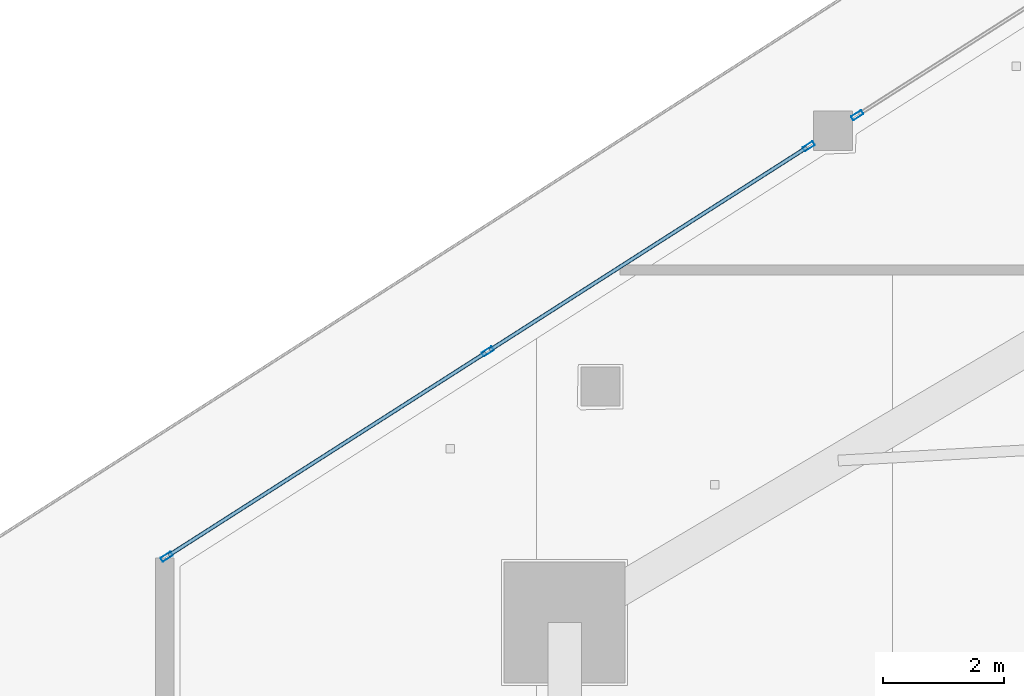
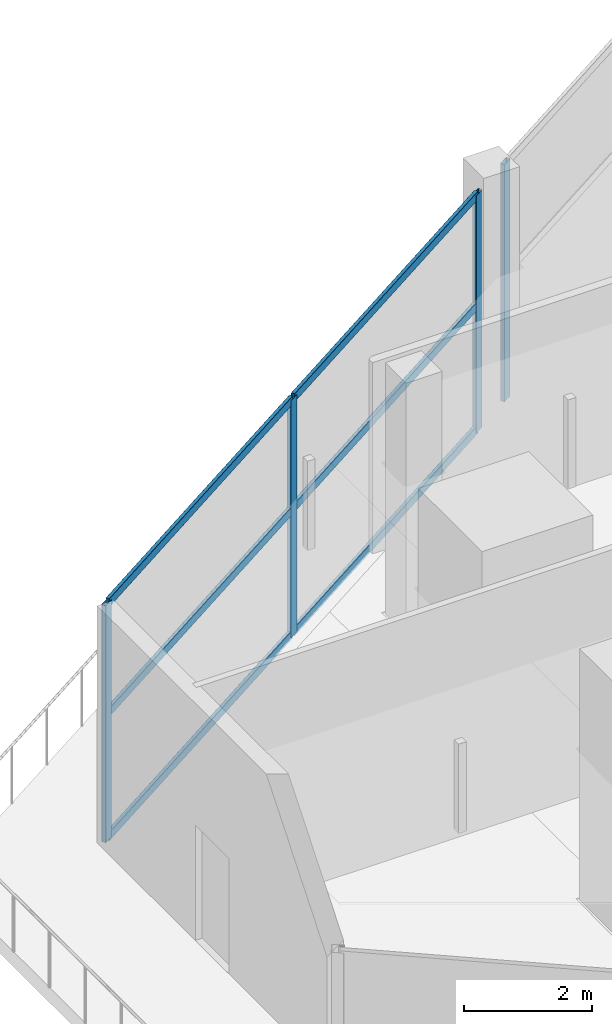
# One storey, part 14 of 36: 10 members, 2 elements without a shape of their own.
"""IFC4 building model written with IfcOpenShell, lengths in metres."""

from ifc_helpers import new_model, si_unit, direction, frame, origin, origin_2d, place, context, subcontext, project, spatial, hollow_rectangle, extrude, material, layer, layer_set, material_profile, profile_set, type_object, element, aggregate, save


model = new_model("IFC4")

# Units and contexts
model_context = context("Model", 3, precision=1e-05, world=origin(), true_north=direction((0.0, 1.0)))
body_context = subcontext(model_context, "Body", "Model", "MODEL_VIEW")
ifc_project = project(units=[si_unit("LENGTHUNIT", "METRE"), si_unit("AREAUNIT", "SQUARE_METRE"), si_unit("VOLUMEUNIT", "CUBIC_METRE"), si_unit("PLANEANGLEUNIT", "RADIAN"), si_unit("MASSUNIT", "GRAM", prefix="KILO")], contexts=[model_context])

# Site, building, storey
site_placement = place(None, origin())
site = spatial("IfcSite", under=ifc_project, at=site_placement, CompositionType="ELEMENT")
building_placement = place(site_placement, origin())
building = spatial("IfcBuilding", under=site, at=building_placement, Name="Qorvath Tower", CompositionType="ELEMENT")
storey_placement = place(building_placement, frame((0.0, 0.0, 180.0)))
storey = spatial("IfcBuildingStorey", under=building, at=storey_placement, Name="L41", CompositionType="ELEMENT", Elevation=180.0)

# Curtain wall, member
ifc_material_1 = material(Name="Anodised aluminium and triple low-E glass", Category="aluminium")
ifc_layer = layer(ifc_material_1, 0.179931640625)
ifc_layer_set = layer_set([ifc_layer], Name="CW-SYS-5")
curtain_wall_type = type_object("IfcCurtainWallType", Name="CW-SYS-5", PredefinedType="NOTDEFINED", material=ifc_layer_set)
curtain_wall_1_placement = place(storey_placement, origin())
curtain_wall_1 = element("IfcCurtainWall", 1, at=curtain_wall_1_placement, inside=storey, type_object=curtain_wall_type, Name="Curtain Wall CW-5 CW-T-L41-16.2", PredefinedType="NOTDEFINED")
ifc_material_2 = material(Name="Anodised aluminium 6063-T6", Category="aluminium")
ifc_material_profile_1 = material_profile(ifc_material_2, hollow_rectangle(XDim=0.074951171875, YDim=0.199951171875, WallThickness=0.00390625, InnerFilletRadius=0.00390625, OuterFilletRadius=0.008056640625, at=origin_2d()), Name="CWM 200x75")
ifc_profile_set_1 = profile_set([ifc_material_profile_1], Name="Anodised aluminium 6063-T6")
member_type_1 = type_object("IfcMemberType", Name="CWM-200", PredefinedType="MULLION", material=ifc_profile_set_1)
member_1_placement = place(storey_placement, frame((-44.334716796875, 10.908935546875, 0.0), z_axis=(0.0, 0.0, 1.0), x_axis=(0.538536526802, -0.842602165497, 0.0)))
member_1 = element("IfcMember", 2, at=member_1_placement, type_object=member_type_1, Name="CW-5 mullion 4", PredefinedType="MULLION", context=body_context, shape_type="SweptSolid", body=[
    extrude(hollow_rectangle(XDim=0.074951171875, YDim=0.199951171875, WallThickness=0.00390625, InnerFilletRadius=0.00390625, OuterFilletRadius=0.008056640625, at=origin_2d()), origin(), (0.0, 0.0, 1.0), 4.530029296875),
])
aggregate(curtain_wall_1, [member_1])

# Curtain wall, members
curtain_wall_2_placement = place(storey_placement, origin())
curtain_wall_2 = element("IfcCurtainWall", 3, at=curtain_wall_2_placement, inside=storey, type_object=curtain_wall_type, Name="Curtain Wall CW-5 CW-T-L41-16.3", PredefinedType="NOTDEFINED")
member_2_placement = place(storey_placement, frame((-45.1376953125, 10.3955078125, 0.0), z_axis=(0.0, 0.0, 1.0), x_axis=(0.53853253442, -0.842604717155, 0.0)))
member_2 = element("IfcMember", 4, at=member_2_placement, type_object=member_type_1, Name="CW-5 mullion 1", PredefinedType="MULLION", context=body_context, shape_type="SweptSolid", body=[
    extrude(hollow_rectangle(XDim=0.074951171875, YDim=0.199951171875, WallThickness=0.00390625, InnerFilletRadius=0.00390625, OuterFilletRadius=0.008056640625, at=origin_2d()), origin(), (0.0, 0.0, 1.0), 4.530029296875),
])
member_3_placement = place(storey_placement, frame((-50.443115234375, 7.0048828125, 0.0), z_axis=(0.0, 0.0, 1.0), x_axis=(0.53853253442, -0.842604717155, 0.0)))
member_3 = element("IfcMember", 5, at=member_3_placement, type_object=member_type_1, Name="CW-5 mullion 2", PredefinedType="MULLION", context=body_context, shape_type="SweptSolid", body=[
    extrude(hollow_rectangle(XDim=0.074951171875, YDim=0.199951171875, WallThickness=0.00390625, InnerFilletRadius=0.00390625, OuterFilletRadius=0.008056640625, at=origin_2d()), origin(), (0.0, 0.0, 1.0), 4.530029296875),
])
member_4_placement = place(storey_placement, frame((-55.748291015625, 3.6142578125, 0.0), z_axis=(0.0, 0.0, 1.0), x_axis=(0.53853253442, -0.842604717155, 0.0)))
member_4 = element("IfcMember", 6, at=member_4_placement, type_object=member_type_1, Name="CW-5 mullion 3", PredefinedType="MULLION", context=body_context, shape_type="SweptSolid", body=[
    extrude(hollow_rectangle(XDim=0.074951171875, YDim=0.199951171875, WallThickness=0.00390625, InnerFilletRadius=0.00390625, OuterFilletRadius=0.008056640625, at=origin_2d()), origin(), (0.0, 0.0, 1.0), 4.530029296875),
])
ifc_material_3 = material(Name="Anodised aluminium 6063-T6", Category="aluminium")
ifc_material_profile_2 = material_profile(ifc_material_3, hollow_rectangle(XDim=0.06494140625, YDim=0.159912109375, WallThickness=0.00341796875, InnerFilletRadius=0.00341796875, OuterFilletRadius=0.007080078125, at=origin_2d()), Name="CWT 160x65")
ifc_profile_set_2 = profile_set([ifc_material_profile_2], Name="Anodised aluminium 6063-T6")
member_type_2 = type_object("IfcMemberType", Name="CWT-160", PredefinedType="USERDEFINED", material=ifc_profile_set_2)
member_5_placement = place(storey_placement, frame((-45.16943359375, 10.37548828125, 0.032470703125), z_axis=(-0.842599803747, -0.538540222012, 0.0), x_axis=(0.538540222012, -0.842599803747, 0.0)))
member_5 = element("IfcMember", 7, at=member_5_placement, type_object=member_type_2, Name="CW-5 transom 1.1", ObjectType="TRANSOM", PredefinedType="USERDEFINED", context=body_context, shape_type="SweptSolid", body=[
    extrude(hollow_rectangle(XDim=0.06494140625, YDim=0.159912109375, WallThickness=0.00341796875, InnerFilletRadius=0.00341796875, OuterFilletRadius=0.007080078125, at=origin_2d()), origin(), (0.0, 0.0, 1.0), 6.22119140625),
])
member_6_placement = place(storey_placement, frame((-45.16943359375, 10.37548828125, 2.39990234375), z_axis=(-0.842599803747, -0.538540222012, 0.0), x_axis=(0.538540222012, -0.842599803747, 0.0)))
member_6 = element("IfcMember", 8, at=member_6_placement, type_object=member_type_2, Name="CW-5 transom 1.2", ObjectType="TRANSOM", PredefinedType="USERDEFINED", context=body_context, shape_type="SweptSolid", body=[
    extrude(hollow_rectangle(XDim=0.06494140625, YDim=0.159912109375, WallThickness=0.00341796875, InnerFilletRadius=0.00341796875, OuterFilletRadius=0.007080078125, at=origin_2d()), origin(), (0.0, 0.0, 1.0), 6.22119140625),
])
member_7_placement = place(storey_placement, frame((-45.16943359375, 10.37548828125, 4.49755859375), z_axis=(-0.842599803747, -0.538540222012, 0.0), x_axis=(0.538540222012, -0.842599803747, 0.0)))
member_7 = element("IfcMember", 9, at=member_7_placement, type_object=member_type_2, Name="CW-5 transom 1.3", ObjectType="TRANSOM", PredefinedType="USERDEFINED", context=body_context, shape_type="SweptSolid", body=[
    extrude(hollow_rectangle(XDim=0.06494140625, YDim=0.159912109375, WallThickness=0.00341796875, InnerFilletRadius=0.00341796875, OuterFilletRadius=0.007080078125, at=origin_2d()), origin(), (0.0, 0.0, 1.0), 6.22119140625),
])
member_8_placement = place(storey_placement, frame((-50.474609375, 6.984619140625, 0.032470703125), z_axis=(-0.842599803747, -0.538540222012, 0.0), x_axis=(0.538540222012, -0.842599803747, 0.0)))
member_8 = element("IfcMember", 10, at=member_8_placement, type_object=member_type_2, Name="CW-5 transom 2.1", ObjectType="TRANSOM", PredefinedType="USERDEFINED", context=body_context, shape_type="SweptSolid", body=[
    extrude(hollow_rectangle(XDim=0.06494140625, YDim=0.159912109375, WallThickness=0.00341796875, InnerFilletRadius=0.00341796875, OuterFilletRadius=0.007080078125, at=origin_2d()), origin(), (0.0, 0.0, 1.0), 6.22119140625),
])
member_9_placement = place(storey_placement, frame((-50.474609375, 6.984619140625, 2.39990234375), z_axis=(-0.842599803747, -0.538540222012, 0.0), x_axis=(0.538540222012, -0.842599803747, 0.0)))
member_9 = element("IfcMember", 11, at=member_9_placement, type_object=member_type_2, Name="CW-5 transom 2.2", ObjectType="TRANSOM", PredefinedType="USERDEFINED", context=body_context, shape_type="SweptSolid", body=[
    extrude(hollow_rectangle(XDim=0.06494140625, YDim=0.159912109375, WallThickness=0.00341796875, InnerFilletRadius=0.00341796875, OuterFilletRadius=0.007080078125, at=origin_2d()), origin(), (0.0, 0.0, 1.0), 6.22119140625),
])
member_10_placement = place(storey_placement, frame((-50.474609375, 6.984619140625, 4.49755859375), z_axis=(-0.842599803747, -0.538540222012, 0.0), x_axis=(0.538540222012, -0.842599803747, 0.0)))
member_10 = element("IfcMember", 12, at=member_10_placement, type_object=member_type_2, Name="CW-5 transom 2.3", ObjectType="TRANSOM", PredefinedType="USERDEFINED", context=body_context, shape_type="SweptSolid", body=[
    extrude(hollow_rectangle(XDim=0.06494140625, YDim=0.159912109375, WallThickness=0.00341796875, InnerFilletRadius=0.00341796875, OuterFilletRadius=0.007080078125, at=origin_2d()), origin(), (0.0, 0.0, 1.0), 6.22119140625),
])
aggregate(curtain_wall_2, [member_2, member_3, member_4, member_5, member_6, member_7, member_8, member_9, member_10])

save(model, "model.ifc")
